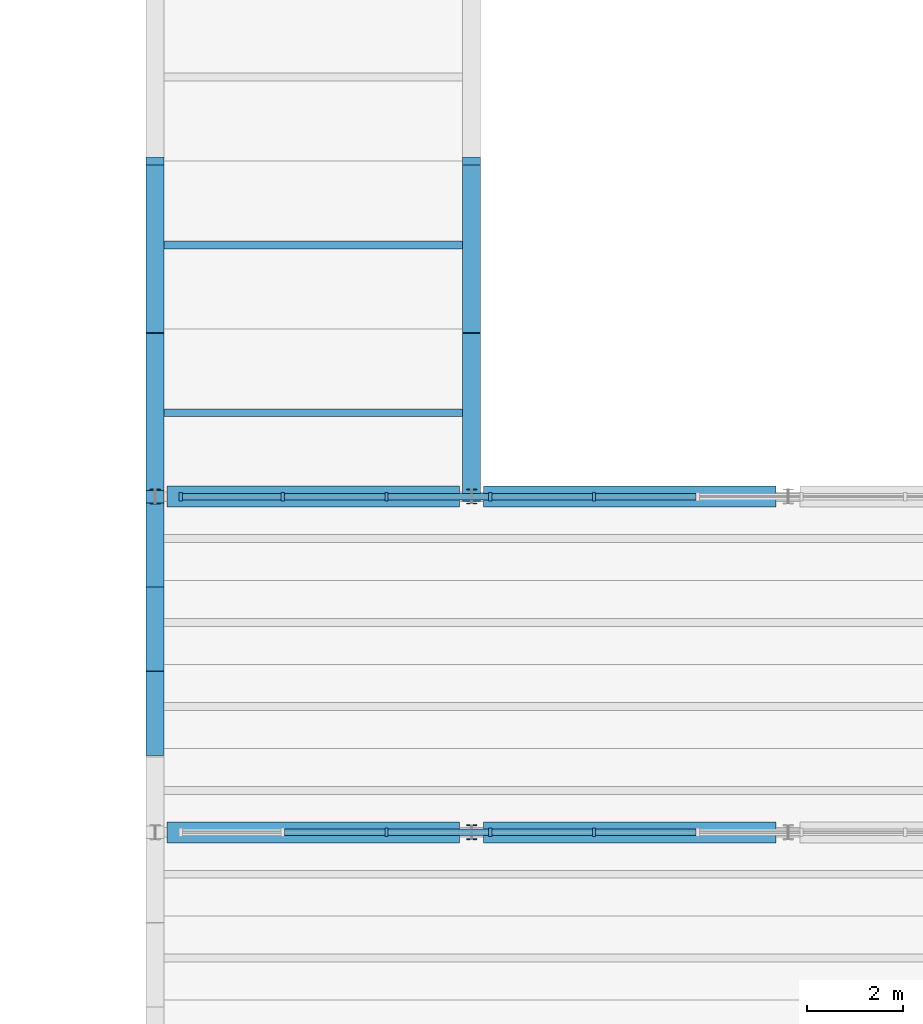
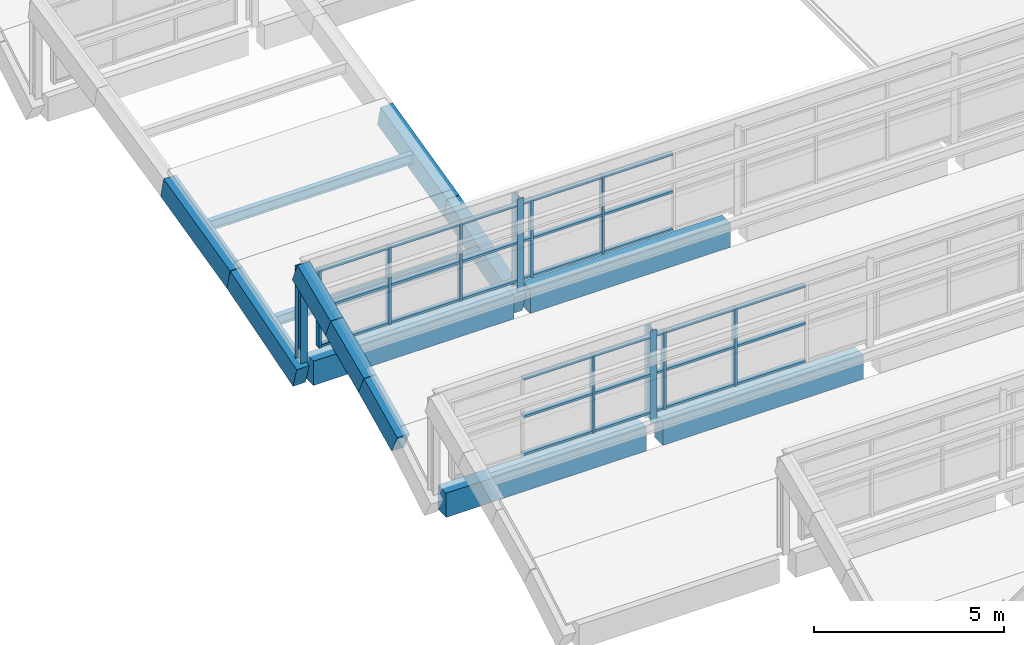
# One storey, part 7 of 92: 40 members, 11 beams, 2 elements without a shape of their own.
"""IFC4 building model written with IfcOpenShell, lengths in metres."""

from ifc_helpers import new_model, si_unit, direction, frame, origin, origin_2d, place, context, subcontext, project, spatial, rectangle, i_section, extrude, material, material_profile, profile_set, type_object, element, aggregate, save


model = new_model("IFC4")

# Units and contexts
model_context = context("Model", 3, precision=1e-05, world=origin(), true_north=direction((0.0, 1.0)))
body_context = subcontext(model_context, "Body", "Model", "MODEL_VIEW")
ifc_project = project(units=[si_unit("LENGTHUNIT", "METRE"), si_unit("AREAUNIT", "SQUARE_METRE"), si_unit("VOLUMEUNIT", "CUBIC_METRE"), si_unit("PLANEANGLEUNIT", "RADIAN"), si_unit("MASSUNIT", "GRAM", prefix="KILO")], contexts=[model_context])

# Site, building, storey
site_placement = place(None, origin())
site = spatial("IfcSite", under=ifc_project, at=site_placement, CompositionType="ELEMENT")
building_placement = place(site_placement, origin())
building = spatial("IfcBuilding", under=site, at=building_placement, Name="Ciguamira Faculty of Natural Sciences", CompositionType="ELEMENT")
storey_placement = place(building_placement, frame((0.0, 0.0, 16.800048828125)))
storey = spatial("IfcBuildingStorey", under=building, at=storey_placement, Name="L04", CompositionType="ELEMENT", Elevation=16.800048828125)

# Curtain wall, members
ifc_material_1 = material(Name="Anodized aluminium curtain wall", Category="aluminium")
curtain_wall_type_1 = type_object("IfcCurtainWallType", Name="CurtainWall_CW-03", PredefinedType="USERDEFINED", material=ifc_material_1)
curtain_wall_1_placement = place(storey_placement, origin())
curtain_wall_1 = element("IfcCurtainWall", 1, at=curtain_wall_1_placement, inside=storey, type_object=curtain_wall_type_1, Name="V4 north-light wave 2 clerestory glazing 1", ObjectType="UNITISED CURTAIN WALL", PredefinedType="USERDEFINED")
ifc_material_2 = material(Name="Anodized aluminium mullion", Category="aluminium")
ifc_material_profile_1 = material_profile(ifc_material_2, rectangle(XDim=0.070068359375, YDim=0.179931640625, at=origin_2d()), Name="ALU-MUL-70X180")
ifc_profile_set_1 = profile_set([ifc_material_profile_1], Name="Anodized aluminium mullion")
member_type_1 = type_object("IfcMemberType", Name="CWMullion_CWM-02", PredefinedType="MULLION", material=ifc_profile_set_1)
member_1_placement = place(storey_placement, frame((62.1259765625, 52.0, 0.25), z_axis=(0.0, 0.0, 1.0), x_axis=(1.0, 0.0, 0.0)))
member_1 = element("IfcMember", 2, at=member_1_placement, type_object=member_type_1, Name="CW-03 mullion 3", PredefinedType="MULLION", context=body_context, shape_type="SweptSolid", body=[
    extrude(rectangle(XDim=0.070068359375, YDim=0.179931640625, at=origin_2d()), origin(), (0.0, 0.0, 1.0), 2.5),
])
member_2_placement = place(storey_placement, frame((64.288818359375, 52.0, 0.25), z_axis=(0.0, 0.0, 1.0), x_axis=(1.0, 0.0, 0.0)))
member_2 = element("IfcMember", 3, at=member_2_placement, type_object=member_type_1, Name="CW-03 mullion 4", PredefinedType="MULLION", context=body_context, shape_type="SweptSolid", body=[
    extrude(rectangle(XDim=0.070068359375, YDim=0.179931640625, at=origin_2d()), origin(), (0.0, 0.0, 1.0), 2.5),
])
member_3_placement = place(storey_placement, frame((66.451904296875, 52.0, 0.25), z_axis=(0.0, 0.0, 1.0), x_axis=(1.0, 0.0, 0.0)))
member_3 = element("IfcMember", 4, at=member_3_placement, type_object=member_type_1, Name="CW-03 mullion 5", PredefinedType="MULLION", context=body_context, shape_type="SweptSolid", body=[
    extrude(rectangle(XDim=0.070068359375, YDim=0.179931640625, at=origin_2d()), origin(), (0.0, 0.0, 1.0), 2.5),
])

curtain_wall_type_2 = type_object("IfcCurtainWallType", Name="CurtainWall_CW-04", PredefinedType="USERDEFINED", material=ifc_material_1)
curtain_wall_2_placement = place(storey_placement, origin())
curtain_wall_2 = element("IfcCurtainWall", 5, at=curtain_wall_2_placement, inside=storey, type_object=curtain_wall_type_2, Name="V4 north-light wave 3 clerestory glazing 1", ObjectType="UNITISED CURTAIN WALL", PredefinedType="USERDEFINED")
member_4_placement = place(storey_placement, frame((57.8349609375, 59.0, 0.25), z_axis=(0.0, 0.0, 1.0), x_axis=(1.0, 0.0, 0.0)))
member_4 = element("IfcMember", 6, at=member_4_placement, type_object=member_type_1, Name="CW-04 mullion 1", PredefinedType="MULLION", context=body_context, shape_type="SweptSolid", body=[
    extrude(rectangle(XDim=0.070068359375, YDim=0.179931640625, at=origin_2d()), origin(), (0.0, 0.0, 1.0), 2.5),
])
member_5_placement = place(storey_placement, frame((59.962890625, 59.0, 0.25), z_axis=(0.0, 0.0, 1.0), x_axis=(1.0, 0.0, 0.0)))
member_5 = element("IfcMember", 7, at=member_5_placement, type_object=member_type_1, Name="CW-04 mullion 2", PredefinedType="MULLION", context=body_context, shape_type="SweptSolid", body=[
    extrude(rectangle(XDim=0.070068359375, YDim=0.179931640625, at=origin_2d()), origin(), (0.0, 0.0, 1.0), 2.5),
])
member_6_placement = place(storey_placement, frame((62.1259765625, 59.0, 0.25), z_axis=(0.0, 0.0, 1.0), x_axis=(1.0, 0.0, 0.0)))
member_6 = element("IfcMember", 8, at=member_6_placement, type_object=member_type_1, Name="CW-04 mullion 3", PredefinedType="MULLION", context=body_context, shape_type="SweptSolid", body=[
    extrude(rectangle(XDim=0.070068359375, YDim=0.179931640625, at=origin_2d()), origin(), (0.0, 0.0, 1.0), 2.5),
])
member_7_placement = place(storey_placement, frame((64.288818359375, 59.0, 0.25), z_axis=(0.0, 0.0, 1.0), x_axis=(1.0, 0.0, 0.0)))
member_7 = element("IfcMember", 9, at=member_7_placement, type_object=member_type_1, Name="CW-04 mullion 4", PredefinedType="MULLION", context=body_context, shape_type="SweptSolid", body=[
    extrude(rectangle(XDim=0.070068359375, YDim=0.179931640625, at=origin_2d()), origin(), (0.0, 0.0, 1.0), 2.5),
])
member_8_placement = place(storey_placement, frame((66.451904296875, 59.0, 0.25), z_axis=(0.0, 0.0, 1.0), x_axis=(1.0, 0.0, 0.0)))
member_8 = element("IfcMember", 10, at=member_8_placement, type_object=member_type_1, Name="CW-04 mullion 5", PredefinedType="MULLION", context=body_context, shape_type="SweptSolid", body=[
    extrude(rectangle(XDim=0.070068359375, YDim=0.179931640625, at=origin_2d()), origin(), (0.0, 0.0, 1.0), 2.5),
])

# Member
ifc_material_3 = material(Name="Anodized aluminium transom", Category="aluminium")
ifc_material_profile_2 = material_profile(ifc_material_3, rectangle(XDim=0.070068359375, YDim=0.139892578125, at=origin_2d()), Name="ALU-TRN-70X140")
ifc_profile_set_2 = profile_set([ifc_material_profile_2], Name="Anodized aluminium transom")
member_type_2 = type_object("IfcMemberType", Name="CWTransom_CWT-02", PredefinedType="USERDEFINED", material=ifc_profile_set_2)
member_9_placement = place(storey_placement, frame((59.998046875, 52.0, 0.284912109375), z_axis=(1.0, 0.0, 0.0), x_axis=(0.0, 0.0, 1.0)))
member_9 = element("IfcMember", 11, at=member_9_placement, type_object=member_type_2, Name="CW-03 transom 2.1", ObjectType="TRANSOM", PredefinedType="USERDEFINED", context=body_context, shape_type="SweptSolid", body=[
    extrude(rectangle(XDim=0.070068359375, YDim=0.139892578125, at=origin_2d()), origin(), (0.0, 0.0, 1.0), 2.0927734375),
])

member_10_placement = place(storey_placement, frame((59.998046875, 52.0, 1.5), z_axis=(1.0, 0.0, 0.0), x_axis=(0.0, 0.0, 1.0)))
member_10 = element("IfcMember", 12, at=member_10_placement, type_object=member_type_2, Name="CW-03 transom 2.2", ObjectType="TRANSOM", PredefinedType="USERDEFINED", context=body_context, shape_type="SweptSolid", body=[
    extrude(rectangle(XDim=0.070068359375, YDim=0.139892578125, at=origin_2d()), origin(), (0.0, 0.0, 1.0), 2.0927734375),
])

member_11_placement = place(storey_placement, frame((59.998046875, 52.0, 2.71484375), z_axis=(1.0, 0.0, 0.0), x_axis=(0.0, 0.0, 1.0)))
member_11 = element("IfcMember", 13, at=member_11_placement, type_object=member_type_2, Name="CW-03 transom 2.3", ObjectType="TRANSOM", PredefinedType="USERDEFINED", context=body_context, shape_type="SweptSolid", body=[
    extrude(rectangle(XDim=0.070068359375, YDim=0.139892578125, at=origin_2d()), origin(), (0.0, 0.0, 1.0), 2.0927734375),
])

member_12_placement = place(storey_placement, frame((62.160888671875, 52.0, 0.284912109375), z_axis=(1.0, 0.0, 0.0), x_axis=(0.0, 0.0, 1.0)))
member_12 = element("IfcMember", 14, at=member_12_placement, type_object=member_type_2, Name="CW-03 transom 3.1", ObjectType="TRANSOM", PredefinedType="USERDEFINED", context=body_context, shape_type="SweptSolid", body=[
    extrude(rectangle(XDim=0.070068359375, YDim=0.139892578125, at=origin_2d()), origin(), (0.0, 0.0, 1.0), 2.093017578125),
])

member_13_placement = place(storey_placement, frame((62.160888671875, 52.0, 1.5), z_axis=(1.0, 0.0, 0.0), x_axis=(0.0, 0.0, 1.0)))
member_13 = element("IfcMember", 15, at=member_13_placement, type_object=member_type_2, Name="CW-03 transom 3.2", ObjectType="TRANSOM", PredefinedType="USERDEFINED", context=body_context, shape_type="SweptSolid", body=[
    extrude(rectangle(XDim=0.070068359375, YDim=0.139892578125, at=origin_2d()), origin(), (0.0, 0.0, 1.0), 2.093017578125),
])

member_14_placement = place(storey_placement, frame((62.160888671875, 52.0, 2.71484375), z_axis=(1.0, 0.0, 0.0), x_axis=(0.0, 0.0, 1.0)))
member_14 = element("IfcMember", 16, at=member_14_placement, type_object=member_type_2, Name="CW-03 transom 3.3", ObjectType="TRANSOM", PredefinedType="USERDEFINED", context=body_context, shape_type="SweptSolid", body=[
    extrude(rectangle(XDim=0.070068359375, YDim=0.139892578125, at=origin_2d()), origin(), (0.0, 0.0, 1.0), 2.093017578125),
])

member_15_placement = place(storey_placement, frame((64.323974609375, 52.0, 0.284912109375), z_axis=(1.0, 0.0, 0.0), x_axis=(0.0, 0.0, 1.0)))
member_15 = element("IfcMember", 17, at=member_15_placement, type_object=member_type_2, Name="CW-03 transom 4.1", ObjectType="TRANSOM", PredefinedType="USERDEFINED", context=body_context, shape_type="SweptSolid", body=[
    extrude(rectangle(XDim=0.070068359375, YDim=0.139892578125, at=origin_2d()), origin(), (0.0, 0.0, 1.0), 2.0927734375),
])

member_16_placement = place(storey_placement, frame((64.323974609375, 52.0, 1.5), z_axis=(1.0, 0.0, 0.0), x_axis=(0.0, 0.0, 1.0)))
member_16 = element("IfcMember", 18, at=member_16_placement, type_object=member_type_2, Name="CW-03 transom 4.2", ObjectType="TRANSOM", PredefinedType="USERDEFINED", context=body_context, shape_type="SweptSolid", body=[
    extrude(rectangle(XDim=0.070068359375, YDim=0.139892578125, at=origin_2d()), origin(), (0.0, 0.0, 1.0), 2.0927734375),
])

member_17_placement = place(storey_placement, frame((64.323974609375, 52.0, 2.71484375), z_axis=(1.0, 0.0, 0.0), x_axis=(0.0, 0.0, 1.0)))
member_17 = element("IfcMember", 19, at=member_17_placement, type_object=member_type_2, Name="CW-03 transom 4.3", ObjectType="TRANSOM", PredefinedType="USERDEFINED", context=body_context, shape_type="SweptSolid", body=[
    extrude(rectangle(XDim=0.070068359375, YDim=0.139892578125, at=origin_2d()), origin(), (0.0, 0.0, 1.0), 2.0927734375),
])

member_18_placement = place(storey_placement, frame((66.48681640625, 52.0, 0.284912109375), z_axis=(1.0, 0.0, 0.0), x_axis=(0.0, 0.0, 1.0)))
member_18 = element("IfcMember", 20, at=member_18_placement, type_object=member_type_2, Name="CW-03 transom 5.1", ObjectType="TRANSOM", PredefinedType="USERDEFINED", context=body_context, shape_type="SweptSolid", body=[
    extrude(rectangle(XDim=0.070068359375, YDim=0.139892578125, at=origin_2d()), origin(), (0.0, 0.0, 1.0), 2.093017578125),
])

member_19_placement = place(storey_placement, frame((66.48681640625, 52.0, 1.5), z_axis=(1.0, 0.0, 0.0), x_axis=(0.0, 0.0, 1.0)))
member_19 = element("IfcMember", 21, at=member_19_placement, type_object=member_type_2, Name="CW-03 transom 5.2", ObjectType="TRANSOM", PredefinedType="USERDEFINED", context=body_context, shape_type="SweptSolid", body=[
    extrude(rectangle(XDim=0.070068359375, YDim=0.139892578125, at=origin_2d()), origin(), (0.0, 0.0, 1.0), 2.093017578125),
])

member_20_placement = place(storey_placement, frame((66.48681640625, 52.0, 2.71484375), z_axis=(1.0, 0.0, 0.0), x_axis=(0.0, 0.0, 1.0)))
member_20 = element("IfcMember", 22, at=member_20_placement, type_object=member_type_2, Name="CW-03 transom 5.3", ObjectType="TRANSOM", PredefinedType="USERDEFINED", context=body_context, shape_type="SweptSolid", body=[
    extrude(rectangle(XDim=0.070068359375, YDim=0.139892578125, at=origin_2d()), origin(), (0.0, 0.0, 1.0), 2.093017578125),
])

aggregate(curtain_wall_1, [member_1, member_2, member_3, member_9, member_10, member_11, member_12, member_13, member_14, member_15, member_16, member_17, member_18, member_19, member_20])

member_21_placement = place(storey_placement, frame((57.8701171875, 59.0, 0.284912109375), z_axis=(1.0, 0.0, 0.0), x_axis=(0.0, 0.0, 1.0)))
member_21 = element("IfcMember", 23, at=member_21_placement, type_object=member_type_2, Name="CW-04 transom 1.1", ObjectType="TRANSOM", PredefinedType="USERDEFINED", context=body_context, shape_type="SweptSolid", body=[
    extrude(rectangle(XDim=0.070068359375, YDim=0.139892578125, at=origin_2d()), origin(), (0.0, 0.0, 1.0), 2.057861328125),
])

member_22_placement = place(storey_placement, frame((57.8701171875, 59.0, 1.5), z_axis=(1.0, 0.0, 0.0), x_axis=(0.0, 0.0, 1.0)))
member_22 = element("IfcMember", 24, at=member_22_placement, type_object=member_type_2, Name="CW-04 transom 1.2", ObjectType="TRANSOM", PredefinedType="USERDEFINED", context=body_context, shape_type="SweptSolid", body=[
    extrude(rectangle(XDim=0.070068359375, YDim=0.139892578125, at=origin_2d()), origin(), (0.0, 0.0, 1.0), 2.057861328125),
])

member_23_placement = place(storey_placement, frame((57.8701171875, 59.0, 2.71484375), z_axis=(1.0, 0.0, 0.0), x_axis=(0.0, 0.0, 1.0)))
member_23 = element("IfcMember", 25, at=member_23_placement, type_object=member_type_2, Name="CW-04 transom 1.3", ObjectType="TRANSOM", PredefinedType="USERDEFINED", context=body_context, shape_type="SweptSolid", body=[
    extrude(rectangle(XDim=0.070068359375, YDim=0.139892578125, at=origin_2d()), origin(), (0.0, 0.0, 1.0), 2.057861328125),
])

member_24_placement = place(storey_placement, frame((59.998046875, 59.0, 0.284912109375), z_axis=(1.0, 0.0, 0.0), x_axis=(0.0, 0.0, 1.0)))
member_24 = element("IfcMember", 26, at=member_24_placement, type_object=member_type_2, Name="CW-04 transom 2.1", ObjectType="TRANSOM", PredefinedType="USERDEFINED", context=body_context, shape_type="SweptSolid", body=[
    extrude(rectangle(XDim=0.070068359375, YDim=0.139892578125, at=origin_2d()), origin(), (0.0, 0.0, 1.0), 2.0927734375),
])

member_25_placement = place(storey_placement, frame((59.998046875, 59.0, 1.5), z_axis=(1.0, 0.0, 0.0), x_axis=(0.0, 0.0, 1.0)))
member_25 = element("IfcMember", 27, at=member_25_placement, type_object=member_type_2, Name="CW-04 transom 2.2", ObjectType="TRANSOM", PredefinedType="USERDEFINED", context=body_context, shape_type="SweptSolid", body=[
    extrude(rectangle(XDim=0.070068359375, YDim=0.139892578125, at=origin_2d()), origin(), (0.0, 0.0, 1.0), 2.0927734375),
])

member_26_placement = place(storey_placement, frame((59.998046875, 59.0, 2.71484375), z_axis=(1.0, 0.0, 0.0), x_axis=(0.0, 0.0, 1.0)))
member_26 = element("IfcMember", 28, at=member_26_placement, type_object=member_type_2, Name="CW-04 transom 2.3", ObjectType="TRANSOM", PredefinedType="USERDEFINED", context=body_context, shape_type="SweptSolid", body=[
    extrude(rectangle(XDim=0.070068359375, YDim=0.139892578125, at=origin_2d()), origin(), (0.0, 0.0, 1.0), 2.0927734375),
])

member_27_placement = place(storey_placement, frame((62.160888671875, 59.0, 0.284912109375), z_axis=(1.0, 0.0, 0.0), x_axis=(0.0, 0.0, 1.0)))
member_27 = element("IfcMember", 29, at=member_27_placement, type_object=member_type_2, Name="CW-04 transom 3.1", ObjectType="TRANSOM", PredefinedType="USERDEFINED", context=body_context, shape_type="SweptSolid", body=[
    extrude(rectangle(XDim=0.070068359375, YDim=0.139892578125, at=origin_2d()), origin(), (0.0, 0.0, 1.0), 2.093017578125),
])

member_28_placement = place(storey_placement, frame((62.160888671875, 59.0, 1.5), z_axis=(1.0, 0.0, 0.0), x_axis=(0.0, 0.0, 1.0)))
member_28 = element("IfcMember", 30, at=member_28_placement, type_object=member_type_2, Name="CW-04 transom 3.2", ObjectType="TRANSOM", PredefinedType="USERDEFINED", context=body_context, shape_type="SweptSolid", body=[
    extrude(rectangle(XDim=0.070068359375, YDim=0.139892578125, at=origin_2d()), origin(), (0.0, 0.0, 1.0), 2.093017578125),
])

member_29_placement = place(storey_placement, frame((62.160888671875, 59.0, 2.71484375), z_axis=(1.0, 0.0, 0.0), x_axis=(0.0, 0.0, 1.0)))
member_29 = element("IfcMember", 31, at=member_29_placement, type_object=member_type_2, Name="CW-04 transom 3.3", ObjectType="TRANSOM", PredefinedType="USERDEFINED", context=body_context, shape_type="SweptSolid", body=[
    extrude(rectangle(XDim=0.070068359375, YDim=0.139892578125, at=origin_2d()), origin(), (0.0, 0.0, 1.0), 2.093017578125),
])

member_30_placement = place(storey_placement, frame((64.323974609375, 59.0, 0.284912109375), z_axis=(1.0, 0.0, 0.0), x_axis=(0.0, 0.0, 1.0)))
member_30 = element("IfcMember", 32, at=member_30_placement, type_object=member_type_2, Name="CW-04 transom 4.1", ObjectType="TRANSOM", PredefinedType="USERDEFINED", context=body_context, shape_type="SweptSolid", body=[
    extrude(rectangle(XDim=0.070068359375, YDim=0.139892578125, at=origin_2d()), origin(), (0.0, 0.0, 1.0), 2.0927734375),
])

member_31_placement = place(storey_placement, frame((64.323974609375, 59.0, 1.5), z_axis=(1.0, 0.0, 0.0), x_axis=(0.0, 0.0, 1.0)))
member_31 = element("IfcMember", 33, at=member_31_placement, type_object=member_type_2, Name="CW-04 transom 4.2", ObjectType="TRANSOM", PredefinedType="USERDEFINED", context=body_context, shape_type="SweptSolid", body=[
    extrude(rectangle(XDim=0.070068359375, YDim=0.139892578125, at=origin_2d()), origin(), (0.0, 0.0, 1.0), 2.0927734375),
])

member_32_placement = place(storey_placement, frame((64.323974609375, 59.0, 2.71484375), z_axis=(1.0, 0.0, 0.0), x_axis=(0.0, 0.0, 1.0)))
member_32 = element("IfcMember", 34, at=member_32_placement, type_object=member_type_2, Name="CW-04 transom 4.3", ObjectType="TRANSOM", PredefinedType="USERDEFINED", context=body_context, shape_type="SweptSolid", body=[
    extrude(rectangle(XDim=0.070068359375, YDim=0.139892578125, at=origin_2d()), origin(), (0.0, 0.0, 1.0), 2.0927734375),
])

member_33_placement = place(storey_placement, frame((66.48681640625, 59.0, 0.284912109375), z_axis=(1.0, 0.0, 0.0), x_axis=(0.0, 0.0, 1.0)))
member_33 = element("IfcMember", 35, at=member_33_placement, type_object=member_type_2, Name="CW-04 transom 5.1", ObjectType="TRANSOM", PredefinedType="USERDEFINED", context=body_context, shape_type="SweptSolid", body=[
    extrude(rectangle(XDim=0.070068359375, YDim=0.139892578125, at=origin_2d()), origin(), (0.0, 0.0, 1.0), 2.093017578125),
])

member_34_placement = place(storey_placement, frame((66.48681640625, 59.0, 1.5), z_axis=(1.0, 0.0, 0.0), x_axis=(0.0, 0.0, 1.0)))
member_34 = element("IfcMember", 36, at=member_34_placement, type_object=member_type_2, Name="CW-04 transom 5.2", ObjectType="TRANSOM", PredefinedType="USERDEFINED", context=body_context, shape_type="SweptSolid", body=[
    extrude(rectangle(XDim=0.070068359375, YDim=0.139892578125, at=origin_2d()), origin(), (0.0, 0.0, 1.0), 2.093017578125),
])

member_35_placement = place(storey_placement, frame((66.48681640625, 59.0, 2.71484375), z_axis=(1.0, 0.0, 0.0), x_axis=(0.0, 0.0, 1.0)))
member_35 = element("IfcMember", 37, at=member_35_placement, type_object=member_type_2, Name="CW-04 transom 5.3", ObjectType="TRANSOM", PredefinedType="USERDEFINED", context=body_context, shape_type="SweptSolid", body=[
    extrude(rectangle(XDim=0.070068359375, YDim=0.139892578125, at=origin_2d()), origin(), (0.0, 0.0, 1.0), 2.093017578125),
])

aggregate(curtain_wall_2, [member_4, member_5, member_6, member_7, member_8, member_21, member_22, member_23, member_24, member_25, member_26, member_27, member_28, member_29, member_30, member_31, member_32, member_33, member_34, member_35])

# Beams
ifc_material_4 = material(Name="Concrete C40/50", Category="concrete")
ifc_material_profile_3 = material_profile(ifc_material_4, rectangle(XDim=0.43994140625, YDim=0.780029296875, at=origin_2d()), Name="RC-BM-440X780")
ifc_profile_set_3 = profile_set([ifc_material_profile_3], Name="Concrete C40/50")
beam_type_1 = type_object("IfcBeamType", Name="RCBeam_BG-06_RC-BM-440X780", PredefinedType="BEAM", material=ifc_profile_set_3)
beam_1_placement = place(storey_placement, frame((57.550048828125, 52.0, -0.39013671875), z_axis=(1.0, 0.0, 0.0), x_axis=(0.0, 1.0, 0.0)))
element("IfcBeam", 38, at=beam_1_placement, inside=storey, type_object=beam_type_1, Name="V4 north-light wave 2 RC valley beam NVL-1-1", PredefinedType="BEAM", context=body_context, shape_type="SweptSolid", body=[
    extrude(rectangle(XDim=0.43994140625, YDim=0.780029296875, at=origin_2d()), origin(), (0.0, 0.0, 1.0), 6.099853515625),
])
beam_2_placement = place(storey_placement, frame((64.14990234375, 52.0, -0.39013671875), z_axis=(1.0, 0.0, 0.0), x_axis=(0.0, 1.0, 0.0)))
element("IfcBeam", 39, at=beam_2_placement, inside=storey, type_object=beam_type_1, Name="V4 north-light wave 2 RC valley beam NVL-1-2", PredefinedType="BEAM", context=body_context, shape_type="SweptSolid", body=[
    extrude(rectangle(XDim=0.43994140625, YDim=0.780029296875, at=origin_2d()), origin(), (0.0, 0.0, 1.0), 6.10009765625),
])
beam_3_placement = place(storey_placement, frame((57.550048828125, 59.0, -0.39013671875), z_axis=(1.0, 0.0, 0.0), x_axis=(0.0, 1.0, 0.0)))
element("IfcBeam", 40, at=beam_3_placement, inside=storey, type_object=beam_type_1, Name="V4 north-light wave 3 RC valley beam NVL-1-1", PredefinedType="BEAM", context=body_context, shape_type="SweptSolid", body=[
    extrude(rectangle(XDim=0.43994140625, YDim=0.780029296875, at=origin_2d()), origin(), (0.0, 0.0, 1.0), 6.099853515625),
])
beam_4_placement = place(storey_placement, frame((64.14990234375, 59.0, -0.39013671875), z_axis=(1.0, 0.0, 0.0), x_axis=(0.0, 1.0, 0.0)))
element("IfcBeam", 41, at=beam_4_placement, inside=storey, type_object=beam_type_1, Name="V4 north-light wave 3 RC valley beam NVL-1-2", PredefinedType="BEAM", context=body_context, shape_type="SweptSolid", body=[
    extrude(rectangle(XDim=0.43994140625, YDim=0.780029296875, at=origin_2d()), origin(), (0.0, 0.0, 1.0), 6.10009765625),
])
ifc_material_profile_4 = material_profile(ifc_material_4, rectangle(XDim=0.3798828125, YDim=0.679931640625, at=origin_2d()), Name="RC-BM-380X680")
ifc_profile_set_4 = profile_set([ifc_material_profile_4], Name="Concrete C40/50")
beam_type_2 = type_object("IfcBeamType", Name="RCBeam_BG-09_RC-BM-380X680", PredefinedType="BEAM", material=ifc_profile_set_4)
beam_5_placement = place(storey_placement, frame((57.300048828125, 53.75, 0.5263671875), z_axis=(0.0, 0.901554457929, 0.432665643872), x_axis=(-1.0, 0.0, 0.0)))
element("IfcBeam", 42, at=beam_5_placement, inside=storey, type_object=beam_type_2, Name="V4 wave roof RC edge arch rib 3-1-2-1", PredefinedType="BEAM", context=body_context, shape_type="SweptSolid", body=[
    extrude(rectangle(XDim=0.3798828125, YDim=0.679931640625, at=origin_2d()), origin(), (0.0, 0.0, 1.0), 1.941162109375),
])
beam_6_placement = place(storey_placement, frame((57.300048828125, 55.5, 1.3662109375), z_axis=(0.0, 0.914132059628, 0.405416548208), x_axis=(-1.0, 0.0, 0.0)))
element("IfcBeam", 43, at=beam_6_placement, inside=storey, type_object=beam_type_2, Name="V4 wave roof RC edge arch rib 3-1-3-1", PredefinedType="BEAM", context=body_context, shape_type="SweptSolid", body=[
    extrude(rectangle(XDim=0.3798828125, YDim=0.679931640625, at=origin_2d()), origin(), (0.0, 0.0, 1.0), 1.914306640625),
])
beam_7_placement = place(storey_placement, frame((57.300048828125, 57.25, 2.142333984375), z_axis=(0.0, 0.921502225808, 0.388373078148), x_axis=(-1.0, 0.0, 0.0)))
element("IfcBeam", 44, at=beam_7_placement, inside=storey, type_object=beam_type_2, Name="V4 wave roof RC edge arch rib 3-1-4-1", PredefinedType="BEAM", context=body_context, shape_type="SweptSolid", body=[
    extrude(rectangle(XDim=0.3798828125, YDim=0.679931640625, at=origin_2d()), origin(), (0.0, 0.0, 1.0), 1.899169921875),
])
for number, where, z_axis, x_axis, name in (
    (45, (57.300048828125, 59.0, -0.52001953125), (0.0, 0.958098086918, 0.286440318117), (-1.0, 0.0, 0.0), "V4 wave roof RC edge arch rib 4-1-1-1"),
    (46, (63.89990234375, 59.0, -0.52001953125), (0.0, 0.958098086918, 0.286440318117), (-1.0, 0.0, 0.0), "V4 wave roof RC edge arch rib 4-1-1-2"),
):
    element("IfcBeam", number, at=place(storey_placement, frame(where, z_axis=z_axis, x_axis=x_axis)), inside=storey, type_object=beam_type_2, Name=name, PredefinedType="BEAM", context=body_context, shape_type="SweptSolid", body=[
        extrude(rectangle(XDim=0.3798828125, YDim=0.679931640625, at=origin_2d()), origin(), (0.0, 0.0, 1.0), 3.653076171875),
    ])
for number, where, z_axis, x_axis, name in (
    (47, (57.300048828125, 62.5, 0.5263671875), (0.0, 0.972397152231, 0.233331905948), (-1.0, 0.0, 0.0), "V4 wave roof RC edge arch rib 4-1-2-1"),
    (48, (63.89990234375, 62.5, 0.5263671875), (0.0, 0.972397152231, 0.233331905948), (-1.0, 0.0, 0.0), "V4 wave roof RC edge arch rib 4-1-2-2"),
):
    element("IfcBeam", number, at=place(storey_placement, frame(where, z_axis=z_axis, x_axis=x_axis)), inside=storey, type_object=beam_type_2, Name=name, PredefinedType="BEAM", context=body_context, shape_type="SweptSolid", body=[
        extrude(rectangle(XDim=0.3798828125, YDim=0.679931640625, at=origin_2d()), origin(), (0.0, 0.0, 1.0), 3.599365234375),
    ])

# Members
ifc_material_5 = material(Name="Steel ASTM A992 Grade 50", Category="steel")
ifc_material_profile_5 = material_profile(ifc_material_5, i_section(OverallWidth=0.164794921875, OverallDepth=0.309814453125, WebThickness=0.005859375, FlangeThickness=0.009765625, at=origin_2d()), Name="W12X26")
ifc_profile_set_5 = profile_set([ifc_material_profile_5], Name="Steel ASTM A992 Grade 50")
member_type_3 = type_object("IfcMemberType", Name="SteelMember_PR-02_W12X26", PredefinedType="PURLIN", material=ifc_profile_set_5)
for number, where, z_axis, x_axis, name in (
    (49, (57.300048828125, 60.75, 0.148193359375), (1.0, 0.0, 0.0), (0.0, 1.0, 0.0), "V4 wave roof steel purlin 4-1-1"),
    (50, (57.300048828125, 64.25, 1.091552734375), (1.0, 0.0, 0.0), (0.0, 1.0, 0.0), "V4 wave roof steel purlin 4-1-2"),
):
    element("IfcMember", number, at=place(storey_placement, frame(where, z_axis=z_axis, x_axis=x_axis)), inside=storey, type_object=member_type_3, Name=name, PredefinedType="PURLIN", context=body_context, shape_type="SweptSolid", body=[
        extrude(i_section(OverallWidth=0.164794921875, OverallDepth=0.309814453125, WebThickness=0.005859375, FlangeThickness=0.009765625, at=origin_2d()), origin(), (0.0, 0.0, 1.0), 6.599853515625),
    ])
ifc_material_profile_6 = material_profile(ifc_material_5, i_section(OverallWidth=0.20458984375, OverallDepth=0.307373046875, WebThickness=0.008544921875, FlangeThickness=0.0146484375, at=origin_2d()), Name="W12X45")
ifc_profile_set_6 = profile_set([ifc_material_profile_6], Name="Steel ASTM A992 Grade 50")
member_type_4 = type_object("IfcMemberType", Name="SteelMember_TS-01_W12X45", PredefinedType="STRUT", material=ifc_profile_set_6)
for number, where, z_axis, x_axis, name in (
    (51, (63.89990234375, 52.0, 0.0), (0.0, 0.0, 1.0), (1.0, 0.0, 0.0), "V4 north-light wave 2 clerestory post 64"),
    (52, (57.300048828125, 59.0, 0.0), (0.0, 0.0, 1.0), (1.0, 0.0, 0.0), "V4 north-light wave 3 clerestory post 57"),
    (53, (63.89990234375, 59.0, 0.0), (0.0, 0.0, 1.0), (1.0, 0.0, 0.0), "V4 north-light wave 3 clerestory post 64"),
):
    element("IfcMember", number, at=place(storey_placement, frame(where, z_axis=z_axis, x_axis=x_axis)), inside=storey, type_object=member_type_4, Name=name, PredefinedType="STRUT", context=body_context, shape_type="SweptSolid", body=[
        extrude(i_section(OverallWidth=0.20458984375, OverallDepth=0.307373046875, WebThickness=0.008544921875, FlangeThickness=0.0146484375, at=origin_2d()), origin(), (0.0, 0.0, 1.0), 2.986328125),
    ])

save(model, "model.ifc")
